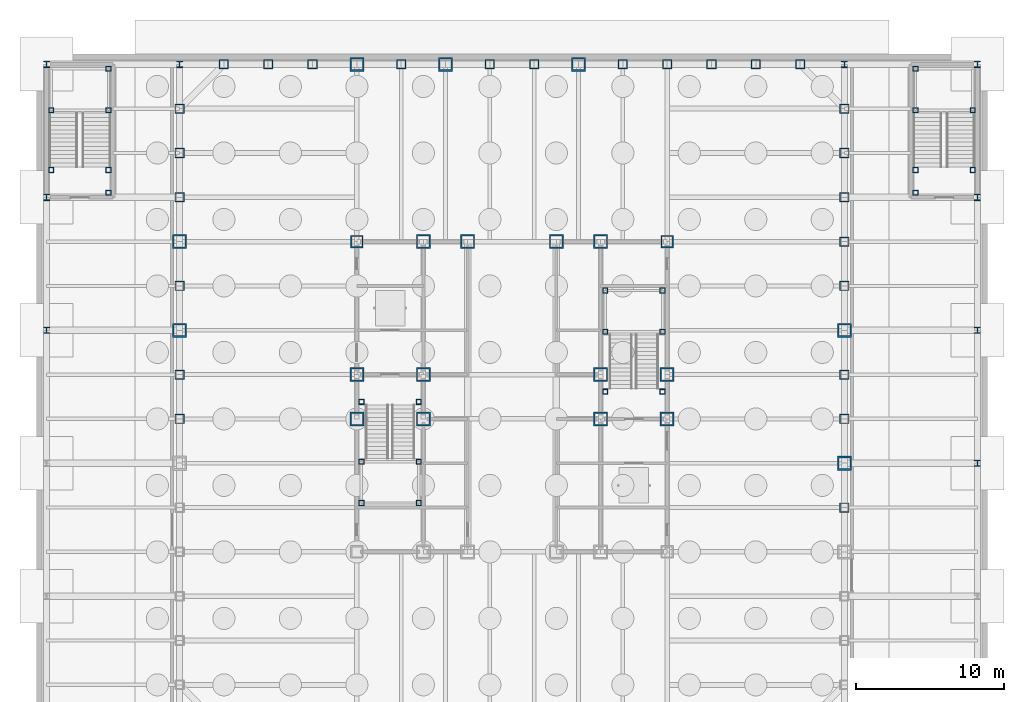
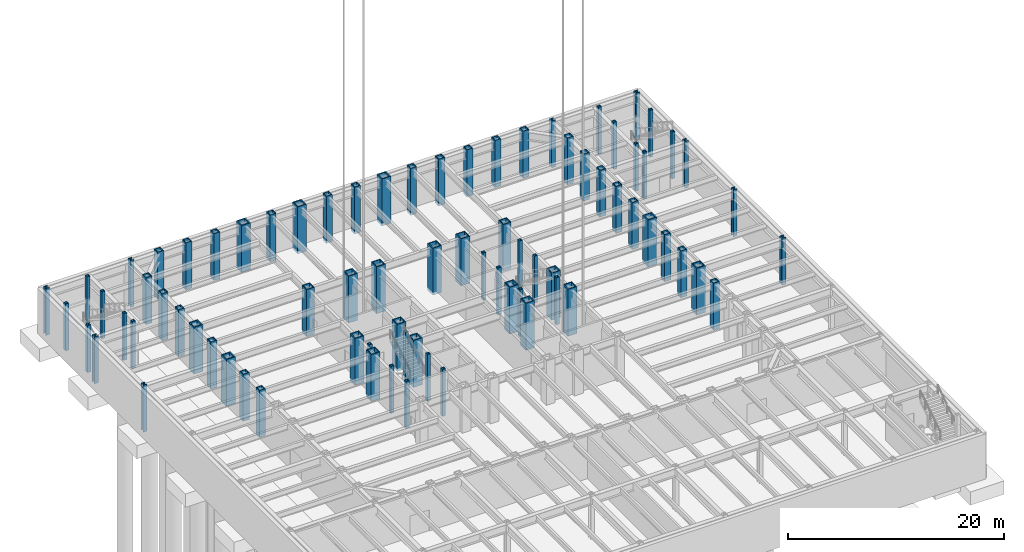
# One storey, part 3 of 18: 79 columns.
"""IFC4 building model written with IfcOpenShell, lengths in metres."""

from ifc_helpers import new_model, si_unit, direction, frame, origin, origin_2d, place, context, subcontext, project, spatial, hollow_rectangle, i_section, extrude, material, material_profile, profile_set, type_object, element, save


model = new_model("IFC4")

# Units and contexts
model_context = context("Model", 3, precision=1e-05, world=origin(), true_north=direction((0.0, 1.0)))
body_context = subcontext(model_context, "Body", "Model", "MODEL_VIEW")
ifc_project = project(units=[si_unit("LENGTHUNIT", "METRE"), si_unit("AREAUNIT", "SQUARE_METRE"), si_unit("VOLUMEUNIT", "CUBIC_METRE"), si_unit("PLANEANGLEUNIT", "RADIAN"), si_unit("MASSUNIT", "GRAM", prefix="KILO")], contexts=[model_context])

# Site, building, storey
site_placement = place(None, origin())
site = spatial("IfcSite", under=ifc_project, at=site_placement, CompositionType="ELEMENT")
building_placement = place(site_placement, origin())
building = spatial("IfcBuilding", under=site, at=building_placement, Name="Chuquiago Exchange Tower", CompositionType="ELEMENT")
storey_placement = place(building_placement, frame((0.0, 0.0, -5.0)))
storey = spatial("IfcBuildingStorey", under=building, at=storey_placement, Name="B1", CompositionType="ELEMENT", Elevation=-5.0)

# Columns
ifc_material_1 = material(Name="Steel ASTM A572 Grade 50", Category="steel")
ifc_material_profile_1 = material_profile(ifc_material_1, hollow_rectangle(XDim=0.64990234375, YDim=0.64990234375, WallThickness=0.06494140625, at=origin_2d()), Name="BOX650X650X65")
ifc_profile_set_1 = profile_set([ifc_material_profile_1], Name="Steel ASTM A572 Grade 50")
column_type_1 = type_object("IfcColumnType", Name="C1 BOX650X650X65", PredefinedType="COLUMN", material=ifc_profile_set_1)
for number, where, z_axis, x_axis, name in (
    (1, (45.0, 15.0, -0.300048828125), (0.0, 0.0, 1.0), (1.0, 0.0, 0.0), "COL-B1-45_15"),
    (2, (45.0, 21.0, -0.300048828125), (0.0, 0.0, 1.0), (1.0, 0.0, 0.0), "COL-B1-45_21"),
    (3, (45.0, 24.0, -0.300048828125), (0.0, 0.0, 1.0), (1.0, 0.0, 0.0), "COL-B1-45_24"),
    (4, (45.0, 30.0, -0.300048828125), (0.0, 0.0, 1.0), (1.0, 0.0, 0.0), "COL-B1-45_30"),
    (5, (45.0, 33.0, -0.300048828125), (0.0, 0.0, 1.0), (1.0, 0.0, 0.0), "COL-B1-45_33"),
    (6, (45.0, 36.0, -0.300048828125), (0.0, 0.0, 1.0), (1.0, 0.0, 0.0), "COL-B1-45_36"),
    (7, (45.0, 39.0, -0.300048828125), (0.0, 0.0, 1.0), (1.0, 0.0, 0.0), "COL-B1-45_39"),
    (8, (45.0, 42.0, -0.300048828125), (0.0, 0.0, 1.0), (1.0, 0.0, 0.0), "COL-B1-45_42"),
    (9, (42.0, 45.0, -0.300048828125), (0.0, 0.0, 1.0), (0.0, 1.0, 0.0), "COL-B1-42_45"),
    (10, (39.0, 45.0, -0.300048828125), (0.0, 0.0, 1.0), (0.0, 1.0, 0.0), "COL-B1-39_45"),
    (11, (36.0, 45.0, -0.300048828125), (0.0, 0.0, 1.0), (0.0, 1.0, 0.0), "COL-B1-36_45"),
    (12, (33.0, 45.0, -0.300048828125), (0.0, 0.0, 1.0), (0.0, 1.0, 0.0), "COL-B1-33_45"),
    (13, (30.0, 45.0, -0.300048828125), (0.0, 0.0, 1.0), (0.0, 1.0, 0.0), "COL-B1-30_45"),
    (14, (24.0, 45.0, -0.300048828125), (0.0, 0.0, 1.0), (0.0, 1.0, 0.0), "COL-B1-24_45"),
    (15, (21.0, 45.0, -0.300048828125), (0.0, 0.0, 1.0), (0.0, 1.0, 0.0), "COL-B1-21_45"),
    (16, (15.0, 45.0, -0.300048828125), (0.0, 0.0, 1.0), (0.0, 1.0, 0.0), "COL-B1-15_45"),
    (17, (9.0, 45.0, -0.300048828125), (0.0, 0.0, 1.0), (0.0, 1.0, 0.0), "COL-B1-9_45"),
    (18, (6.0, 45.0, -0.300048828125), (0.0, 0.0, 1.0), (0.0, 1.0, 0.0), "COL-B1-6_45"),
    (19, (3.0, 45.0, -0.300048828125), (0.0, 0.0, 1.0), (0.0, 1.0, 0.0), "COL-B1-3_45"),
    (20, (0.0, 42.0, -0.300048828125), (0.0, 0.0, 1.0), (-1.0, 0.0, 0.0), "COL-B1-0_42"),
    (21, (0.0, 39.0, -0.300048828125), (0.0, 0.0, 1.0), (-1.0, 0.0, 0.0), "COL-B1-0_39"),
    (22, (0.0, 36.0, -0.300048828125), (0.0, 0.0, 1.0), (-1.0, 0.0, 0.0), "COL-B1-0_36"),
    (23, (0.0, 30.0, -0.300048828125), (0.0, 0.0, 1.0), (-1.0, 0.0, 0.0), "COL-B1-0_30"),
    (24, (0.0, 24.0, -0.300048828125), (0.0, 0.0, 1.0), (-1.0, 0.0, 0.0), "COL-B1-0_24"),
    (25, (0.0, 21.0, -0.300048828125), (0.0, 0.0, 1.0), (-1.0, 0.0, 0.0), "COL-B1-0_21"),
):
    element("IfcColumn", number, at=place(storey_placement, frame(where, z_axis=z_axis, x_axis=x_axis)), inside=storey, type_object=column_type_1, Name=name, PredefinedType="COLUMN", context=body_context, shape_type="SweptSolid", body=[
        extrude(hollow_rectangle(XDim=0.64990234375, YDim=0.64990234375, WallThickness=0.06494140625, at=origin_2d()), origin(), (0.0, 0.0, 1.0), 5.300048828125),
    ])
ifc_material_2 = material(Name="Steel ASTM A572 Grade 50", Category="steel")
ifc_material_profile_2 = material_profile(ifc_material_2, hollow_rectangle(XDim=0.949951171875, YDim=0.949951171875, WallThickness=0.094970703125, at=origin_2d()), Name="BOX950X950X95")
ifc_profile_set_2 = profile_set([ifc_material_profile_2], Name="Steel ASTM A572 Grade 50")
column_type_2 = type_object("IfcColumnType", Name="CC1 BOX950X950X95", PredefinedType="COLUMN", material=ifc_profile_set_2)
for number, where, z_axis, x_axis, name in (
    (26, (16.5, 33.0, -0.300048828125), (0.0, 0.0, 1.0), (1.0, 0.0, 0.0), "CCOL-B1-16.5_33"),
    (27, (19.5, 33.0, -0.300048828125), (0.0, 0.0, 1.0), (1.0, 0.0, 0.0), "CCOL-B1-19.5_33"),
    (28, (25.5, 33.0, -0.300048828125), (0.0, 0.0, 1.0), (1.0, 0.0, 0.0), "CCOL-B1-25.5_33"),
    (29, (28.5, 33.0, -0.300048828125), (0.0, 0.0, 1.0), (1.0, 0.0, 0.0), "CCOL-B1-28.5_33"),
    (30, (12.0, 21.0, -0.300048828125), (0.0, 0.0, 1.0), (1.0, 0.0, 0.0), "CCOL-B1-12_21"),
    (31, (12.0, 24.0, -0.300048828125), (0.0, 0.0, 1.0), (1.0, 0.0, 0.0), "CCOL-B1-12_24"),
    (32, (33.0, 21.0, -0.300048828125), (0.0, 0.0, 1.0), (1.0, 0.0, 0.0), "CCOL-B1-33_21"),
    (33, (33.0, 24.0, -0.300048828125), (0.0, 0.0, 1.0), (1.0, 0.0, 0.0), "CCOL-B1-33_24"),
    (34, (16.5, 21.0, -0.300048828125), (0.0, 0.0, 1.0), (1.0, 0.0, 0.0), "CCOL-B1-16.5_21"),
    (35, (16.5, 24.0, -0.300048828125), (0.0, 0.0, 1.0), (1.0, 0.0, 0.0), "CCOL-B1-16.5_24"),
    (36, (28.5, 21.0, -0.300048828125), (0.0, 0.0, 1.0), (1.0, 0.0, 0.0), "CCOL-B1-28.5_21"),
    (37, (28.5, 24.0, -0.300048828125), (0.0, 0.0, 1.0), (1.0, 0.0, 0.0), "CCOL-B1-28.5_24"),
):
    element("IfcColumn", number, at=place(storey_placement, frame(where, z_axis=z_axis, x_axis=x_axis)), inside=storey, type_object=column_type_2, Name=name, PredefinedType="COLUMN", context=body_context, shape_type="SweptSolid", body=[
        extrude(hollow_rectangle(XDim=0.949951171875, YDim=0.949951171875, WallThickness=0.094970703125, at=origin_2d()), origin(), (0.0, 0.0, 1.0), 5.300048828125),
    ])
ifc_material_3 = material(Name="Steel ASTM A572 Grade 50", Category="steel")
ifc_material_profile_3 = material_profile(ifc_material_3, hollow_rectangle(XDim=0.85009765625, YDim=0.85009765625, WallThickness=0.0849609375, at=origin_2d()), Name="BOX850X850X85")
ifc_profile_set_3 = profile_set([ifc_material_profile_3], Name="Steel ASTM A572 Grade 50")
column_type_3 = type_object("IfcColumnType", Name="CC6 BOX850X850X85", PredefinedType="COLUMN", material=ifc_profile_set_3)
for number, where, z_axis, x_axis, name in (
    (38, (12.0, 33.0, -0.300048828125), (0.0, 0.0, 1.0), (1.0, 0.0, 0.0), "CCOL-B1-12_33"),
    (39, (33.0, 33.0, -0.300048828125), (0.0, 0.0, 1.0), (1.0, 0.0, 0.0), "CCOL-B1-33_33"),
):
    element("IfcColumn", number, at=place(storey_placement, frame(where, z_axis=z_axis, x_axis=x_axis)), inside=storey, type_object=column_type_3, Name=name, PredefinedType="COLUMN", context=body_context, shape_type="SweptSolid", body=[
        extrude(hollow_rectangle(XDim=0.85009765625, YDim=0.85009765625, WallThickness=0.0849609375, at=origin_2d()), origin(), (0.0, 0.0, 1.0), 5.300048828125),
    ])
ifc_material_4 = material(Name="Steel ASTM A572 Grade 42", Category="steel")
ifc_material_profile_4 = material_profile(ifc_material_4, hollow_rectangle(XDim=0.949951171875, YDim=0.949951171875, WallThickness=0.110107421875, at=origin_2d()), Name="BOX950X950X110")
ifc_profile_set_4 = profile_set([ifc_material_profile_4], Name="Steel ASTM A572 Grade 42")
column_type_4 = type_object("IfcColumnType", Name="CT1 BOX950X950X110", PredefinedType="COLUMN", material=ifc_profile_set_4)
for number, where, z_axis, x_axis, name in (
    (40, (45.0, 18.0, -0.300048828125), (0.0, 0.0, 1.0), (1.0, 0.0, 0.0), "COL-B1-45_18"),
    (41, (45.0, 27.0, -0.300048828125), (0.0, 0.0, 1.0), (1.0, 0.0, 0.0), "COL-B1-45_27"),
    (42, (27.0, 45.0, -0.300048828125), (0.0, 0.0, 1.0), (0.0, 1.0, 0.0), "COL-B1-27_45"),
    (43, (18.0, 45.0, -0.300048828125), (0.0, 0.0, 1.0), (0.0, 1.0, 0.0), "COL-B1-18_45"),
    (44, (12.0, 45.0, -0.300048828125), (0.0, 0.0, 1.0), (0.0, 1.0, 0.0), "COL-B1-12_45"),
    (45, (0.0, 33.0, -0.300048828125), (0.0, 0.0, 1.0), (-1.0, 0.0, 0.0), "COL-B1-0_33"),
    (46, (0.0, 27.0, -0.300048828125), (0.0, 0.0, 1.0), (-1.0, 0.0, 0.0), "COL-B1-0_27"),
):
    element("IfcColumn", number, at=place(storey_placement, frame(where, z_axis=z_axis, x_axis=x_axis)), inside=storey, type_object=column_type_4, Name=name, PredefinedType="COLUMN", context=body_context, shape_type="SweptSolid", body=[
        extrude(hollow_rectangle(XDim=0.949951171875, YDim=0.949951171875, WallThickness=0.110107421875, at=origin_2d()), origin(), (0.0, 0.0, 1.0), 5.300048828125),
    ])
ifc_material_5 = material(Name="Steel ASTM A992", Category="steel")
ifc_material_profile_5 = material_profile(ifc_material_5, i_section(OverallWidth=0.411376953125, OverallDepth=0.434326171875, WebThickness=0.035888671875, FlangeThickness=0.057373046875, at=origin_2d()), Name="W14X311")
ifc_profile_set_5 = profile_set([ifc_material_profile_5], Name="Steel ASTM A992")
column_type_5 = type_object("IfcColumnType", Name="PC1 W14X311", PredefinedType="COLUMN", material=ifc_profile_set_5)
for number, where, z_axis, x_axis, name in (
    (47, (-9.0, 27.0, -0.300048828125), (0.0, 0.0, 1.0), (1.0, 0.0, 0.0), "PCOL-B1--9_27"),
    (48, (-9.0, 36.0, -0.300048828125), (0.0, 0.0, 1.0), (1.0, 0.0, 0.0), "PCOL-B1--9_36"),
    (49, (-9.0, 45.0, -0.300048828125), (0.0, 0.0, 1.0), (1.0, 0.0, 0.0), "PCOL-B1--9_45"),
    (50, (0.0, 45.0, -0.300048828125), (0.0, 0.0, 1.0), (1.0, 0.0, 0.0), "PCOL-B1-0_45"),
    (51, (45.0, 45.0, -0.300048828125), (0.0, 0.0, 1.0), (1.0, 0.0, 0.0), "PCOL-B1-45_45"),
    (52, (54.0, 18.0, -0.300048828125), (0.0, 0.0, 1.0), (1.0, 0.0, 0.0), "PCOL-B1-54_18"),
    (53, (54.0, 27.0, -0.300048828125), (0.0, 0.0, 1.0), (1.0, 0.0, 0.0), "PCOL-B1-54_27"),
    (54, (54.0, 36.0, -0.300048828125), (0.0, 0.0, 1.0), (1.0, 0.0, 0.0), "PCOL-B1-54_36"),
    (55, (54.0, 45.0, -0.300048828125), (0.0, 0.0, 1.0), (1.0, 0.0, 0.0), "PCOL-B1-54_45"),
):
    element("IfcColumn", number, at=place(storey_placement, frame(where, z_axis=z_axis, x_axis=x_axis)), inside=storey, type_object=column_type_5, Name=name, PredefinedType="COLUMN", context=body_context, shape_type="SweptSolid", body=[
        extrude(i_section(OverallWidth=0.411376953125, OverallDepth=0.434326171875, WebThickness=0.035888671875, FlangeThickness=0.057373046875, at=origin_2d()), origin(), (0.0, 0.0, 1.0), 5.300048828125),
    ])
ifc_material_6 = material(Name="Steel ASTM A572 Grade 50", Category="steel")
ifc_material_profile_6 = material_profile(ifc_material_6, hollow_rectangle(XDim=0.35009765625, YDim=0.35009765625, WallThickness=0.034912109375, at=origin_2d()), Name="BOX350X350X35")
ifc_profile_set_6 = profile_set([ifc_material_profile_6], Name="Steel ASTM A572 Grade 50")
column_type_6 = type_object("IfcColumnType", Name="PT3 BOX350X350X35", PredefinedType="COLUMN", material=ifc_profile_set_6)
for number, where, z_axis, x_axis, name in (
    (56, (12.31005859375, 15.31005859375, -0.300048828125), (0.0, 0.0, 1.0), (1.0, 0.0, 0.0), "Stair ST1 B1 landing post"),
    (57, (16.18994140625, 15.31005859375, -0.300048828125), (0.0, 0.0, 1.0), (1.0, 0.0, 0.0), "Stair ST1 B1 landing post"),
    (58, (12.31005859375, 18.110107421875, -0.300048828125), (0.0, 0.0, 1.0), (1.0, 0.0, 0.0), "Stair ST1 B1 landing post"),
    (59, (16.18994140625, 18.110107421875, -0.300048828125), (0.0, 0.0, 1.0), (1.0, 0.0, 0.0), "Stair ST1 B1 landing post"),
    (60, (12.31005859375, 22.14990234375, -0.300048828125), (0.0, 0.0, 1.0), (1.0, 0.0, 0.0), "Stair ST1 B1 landing post"),
    (61, (16.18994140625, 22.14990234375, -0.300048828125), (0.0, 0.0, 1.0), (1.0, 0.0, 0.0), "Stair ST1 B1 landing post"),
    (62, (28.81005859375, 29.68994140625, -0.300048828125), (0.0, 0.0, 1.0), (1.0, 0.0, 0.0), "Stair ST2 B1 landing post"),
    (63, (32.68994140625, 29.68994140625, -0.300048828125), (0.0, 0.0, 1.0), (1.0, 0.0, 0.0), "Stair ST2 B1 landing post"),
    (64, (28.81005859375, 26.889892578125, -0.300048828125), (0.0, 0.0, 1.0), (1.0, 0.0, 0.0), "Stair ST2 B1 landing post"),
    (65, (32.68994140625, 26.889892578125, -0.300048828125), (0.0, 0.0, 1.0), (1.0, 0.0, 0.0), "Stair ST2 B1 landing post"),
    (66, (28.81005859375, 22.85009765625, -0.300048828125), (0.0, 0.0, 1.0), (1.0, 0.0, 0.0), "Stair ST2 B1 landing post"),
    (67, (32.68994140625, 22.85009765625, -0.300048828125), (0.0, 0.0, 1.0), (1.0, 0.0, 0.0), "Stair ST2 B1 landing post"),
    (68, (-4.81005859375, 44.68994140625, -0.300048828125), (0.0, 0.0, 1.0), (1.0, 0.0, 0.0), "Stair PS3 B1 landing post"),
    (69, (-8.68994140625, 41.889892578125, -0.300048828125), (0.0, 0.0, 1.0), (1.0, 0.0, 0.0), "Stair PS3 B1 landing post"),
    (70, (-4.81005859375, 41.889892578125, -0.300048828125), (0.0, 0.0, 1.0), (1.0, 0.0, 0.0), "Stair PS3 B1 landing post"),
    (71, (-8.68994140625, 37.85009765625, -0.300048828125), (0.0, 0.0, 1.0), (1.0, 0.0, 0.0), "Stair PS3 B1 landing post"),
    (72, (-4.81005859375, 37.85009765625, -0.300048828125), (0.0, 0.0, 1.0), (1.0, 0.0, 0.0), "Stair PS3 B1 landing post"),
    (73, (-4.81005859375, 36.31005859375, -0.300048828125), (0.0, 0.0, 1.0), (1.0, 0.0, 0.0), "Stair PS3 B1 landing post"),
    (74, (49.81005859375, 44.68994140625, -0.300048828125), (0.0, 0.0, 1.0), (1.0, 0.0, 0.0), "Stair PS4 B1 landing post"),
    (75, (49.81005859375, 41.889892578125, -0.300048828125), (0.0, 0.0, 1.0), (1.0, 0.0, 0.0), "Stair PS4 B1 landing post"),
    (76, (53.68994140625, 41.889892578125, -0.300048828125), (0.0, 0.0, 1.0), (1.0, 0.0, 0.0), "Stair PS4 B1 landing post"),
    (77, (49.81005859375, 37.85009765625, -0.300048828125), (0.0, 0.0, 1.0), (1.0, 0.0, 0.0), "Stair PS4 B1 landing post"),
    (78, (53.68994140625, 37.85009765625, -0.300048828125), (0.0, 0.0, 1.0), (1.0, 0.0, 0.0), "Stair PS4 B1 landing post"),
    (79, (49.81005859375, 36.31005859375, -0.300048828125), (0.0, 0.0, 1.0), (1.0, 0.0, 0.0), "Stair PS4 B1 landing post"),
):
    element("IfcColumn", number, at=place(storey_placement, frame(where, z_axis=z_axis, x_axis=x_axis)), inside=storey, type_object=column_type_6, Name=name, PredefinedType="COLUMN", context=body_context, shape_type="SweptSolid", body=[
        extrude(hollow_rectangle(XDim=0.35009765625, YDim=0.35009765625, WallThickness=0.034912109375, at=origin_2d()), origin(), (0.0, 0.0, 1.0), 5.300048828125),
    ])

save(model, "model.ifc")
